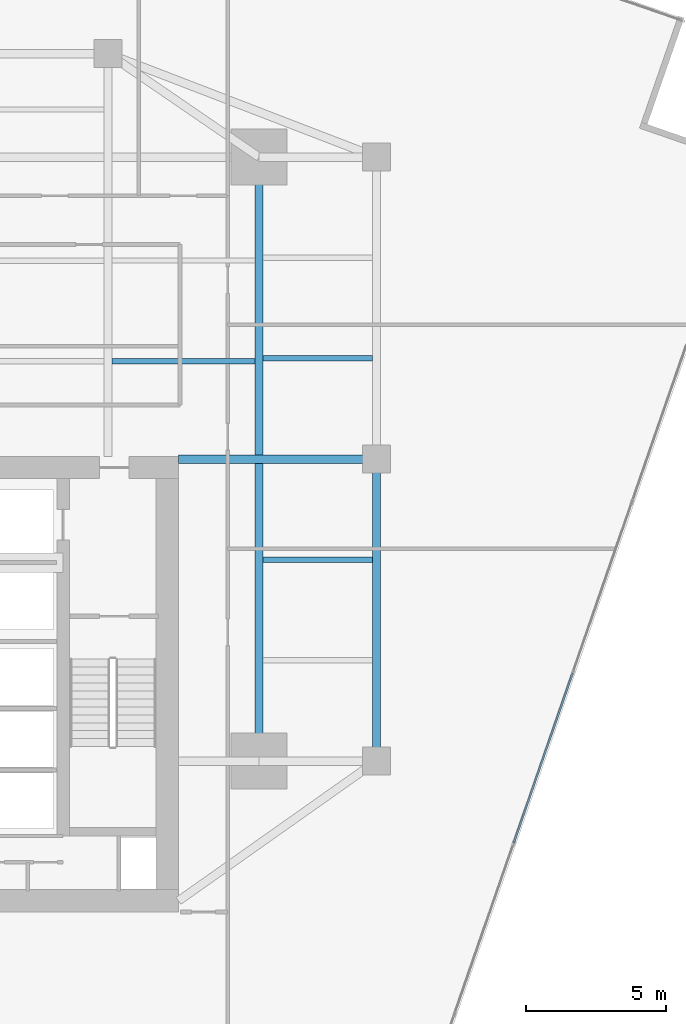
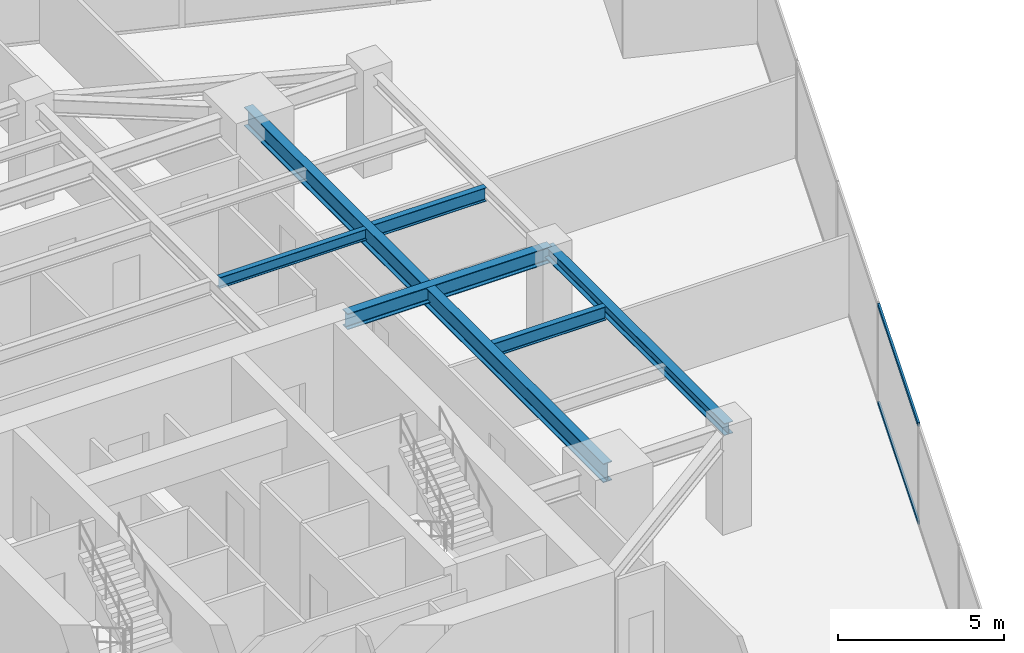
# One storey, part 12 of 27: 6 beams, 2 members, 1 element without a shape of its own.
"""IFC4 building model written with IfcOpenShell, lengths in metres."""

import ifcopenshell
import ifcopenshell.guid

model = None  # the IFC model being written
_history = None  # IfcOwnerHistory: only IFC2X3 demands one
_inside = {}  # id of a spatial element -> (the spatial element, [elements in it])
_under = {}  # id of a project, library or spatial element -> (it, [spatial elements below it])
_declared = {}  # id of a project -> (the project, [libraries it declares])
_typed = {}  # id of a type object -> (the type object, [elements of that type])
_made_of = {}  # id of a material, layer set ... -> (it, [elements and type objects made of it])


def new_model(schema):
    """Start an empty IFC model of exactly this schema.

    Asked for "IFC4X3", IfcOpenShell would pick the latest addendum, in which some entities
    have other attributes; the version numbers below select the first issue.
    IFC2X3 requires an IfcOwnerHistory on every rooted entity: one is made here for all.
    """
    global model, _history
    if schema == "IFC4X3":
        model = ifcopenshell.file(schema_version=(4, 3, 0, 0))
    else:
        model = ifcopenshell.file(schema=schema)
    _inside.clear()
    _under.clear()
    _declared.clear()
    _typed.clear()
    _made_of.clear()
    _history = None
    if model.schema == "IFC2X3":
        org = make("IfcOrganization", Name="unknown")
        user = make(
            "IfcPersonAndOrganization",
            ThePerson=make("IfcPerson", FamilyName="unknown"),
            TheOrganization=org,
        )
        app = make(
            "IfcApplication",
            ApplicationDeveloper=org,
            Version="unknown",
            ApplicationFullName="unknown",
            ApplicationIdentifier="unknown",
        )
        _history = make(
            "IfcOwnerHistory",
            OwningUser=user,
            OwningApplication=app,
            ChangeAction="ADDED",
            CreationDate=0,
        )
    return model


def make(cls, **values):
    """One entity of the class cls with the attributes given. An attribute that is None is left unset."""
    return model.create_entity(
        cls, **{name: value for name, value in values.items() if value is not None}
    )


def rooted(cls, **values):
    """An entity with a GlobalId (a new one), such as an element, a storey or a relation."""
    return make(cls, GlobalId=ifcopenshell.guid.new(), OwnerHistory=_history, **values)


def si_unit(unit_type, name, prefix=None):
    """IfcSIUnit, for example si_unit("LENGTHUNIT", "METRE", prefix="MILLI")."""
    return make("IfcSIUnit", UnitType=unit_type, Prefix=prefix, Name=name)


def assignment(units):
    """IfcUnitAssignment: the units of a project."""
    return None if units is None else make("IfcUnitAssignment", Units=units)


def point(xyz):
    """IfcCartesianPoint."""
    return None if xyz is None else make("IfcCartesianPoint", Coordinates=xyz)


def direction(xyz):
    """IfcDirection."""
    return None if xyz is None else make("IfcDirection", DirectionRatios=xyz)


def frame(location, z_axis=None, x_axis=None):
    """IfcAxis2Placement3D, a coordinate frame: its origin and axes. An axis left out is left unset."""
    return make(
        "IfcAxis2Placement3D",
        Location=point(location),
        Axis=direction(z_axis),
        RefDirection=direction(x_axis),
    )


def frame_2d(location, x_axis=None):
    """IfcAxis2Placement2D, a coordinate frame in the plane: its origin and x axis."""
    return make(
        "IfcAxis2Placement2D", Location=point(location), RefDirection=direction(x_axis)
    )


def origin():
    """The frame at (0, 0, 0) with its axes left unset."""
    return frame((0.0, 0.0, 0.0))


def origin_2d():
    """The frame at (0, 0) in the plane with its x axis left unset."""
    return frame_2d((0.0, 0.0))


def place(relative_to, where):
    """IfcLocalPlacement: puts the frame where relative to a parent placement (None: the world)."""
    return make(
        "IfcLocalPlacement", PlacementRelTo=relative_to, RelativePlacement=where
    )


def context(
    kind, dimensions, precision=None, world=None, true_north=None, identifier=None
):
    """IfcGeometricRepresentationContext, for example the 3D "Model" context."""
    return make(
        "IfcGeometricRepresentationContext",
        ContextIdentifier=identifier,
        ContextType=kind,
        CoordinateSpaceDimension=dimensions,
        Precision=precision,
        WorldCoordinateSystem=world,
        TrueNorth=true_north,
    )


def subcontext(parent, identifier, kind, view, scale=None):
    """IfcGeometricRepresentationSubContext, for example "Body" below "Model"."""
    return make(
        "IfcGeometricRepresentationSubContext",
        ContextIdentifier=identifier,
        ContextType=kind,
        ParentContext=parent,
        TargetScale=scale,
        TargetView=view,
    )


def project(units=None, contexts=None):
    """IfcProject with its units and contexts."""
    return rooted(
        "IfcProject",
        Name="project",
        RepresentationContexts=contexts,
        UnitsInContext=assignment(units),
    )


def spatial(cls, under=None, at=None, **own):
    """A site, building, storey or space (cls), placed at a placement, below another one or the project."""
    s = rooted(cls, ObjectPlacement=at, **own)
    if under is not None:
        _under.setdefault(under.id(), (under, []))[1].append(s)
    return s


def profile(cls, at=None, kind="AREA", **sizes):
    """A parametric profile (cls). Its sizes go by their IFC names, for example OverallWidth=200.0."""
    return make(cls, ProfileType=kind, Position=at, **sizes)


def hollow_rectangle(**sizes):
    """IfcRectangleHollowProfileDef."""
    return profile("IfcRectangleHollowProfileDef", **sizes)


def i_section(**sizes):
    """IfcIShapeProfileDef."""
    return profile("IfcIShapeProfileDef", **sizes)


def extrude(swept, where, along, depth):
    """IfcExtrudedAreaSolid: the profile swept, set in the frame where, extruded along a direction by depth."""
    return make(
        "IfcExtrudedAreaSolid",
        SweptArea=swept,
        Position=where,
        ExtrudedDirection=direction(along),
        Depth=depth,
    )


def shape(context_of_items, identifier, shape_type, items):
    """IfcShapeRepresentation: the items that make up one representation, for example the "Body"."""
    return make(
        "IfcShapeRepresentation",
        ContextOfItems=context_of_items,
        RepresentationIdentifier=identifier,
        RepresentationType=shape_type,
        Items=items,
    )


def source(mapping_origin, context_of_items, identifier, shape_type, items):
    """IfcRepresentationMap: a shape defined once, which mapped items show again and again."""
    return make(
        "IfcRepresentationMap",
        MappingOrigin=mapping_origin,
        MappedRepresentation=shape(context_of_items, identifier, shape_type, items),
    )


def transform(
    local_origin,
    x_axis=None,
    y_axis=None,
    z_axis=None,
    scale=None,
    scale2=None,
    scale3=None,
    uniform=True,
):
    """IfcCartesianTransformationOperator3D, or its non-uniform kind. x_axis, y_axis, z_axis: its Axis1, 2, 3."""
    if uniform:
        return make(
            "IfcCartesianTransformationOperator3D",
            Axis1=direction(x_axis),
            Axis2=direction(y_axis),
            LocalOrigin=point(local_origin),
            Scale=scale,
            Axis3=direction(z_axis),
        )
    return make(
        "IfcCartesianTransformationOperator3DnonUniform",
        Axis1=direction(x_axis),
        Axis2=direction(y_axis),
        LocalOrigin=point(local_origin),
        Scale=scale,
        Axis3=direction(z_axis),
        Scale2=scale2,
        Scale3=scale3,
    )


def mapped(mapping_source, mapping_target):
    """IfcMappedItem: shows the shape of a source again, moved by a transform."""
    return make(
        "IfcMappedItem", MappingSource=mapping_source, MappingTarget=mapping_target
    )


def material(Name=None, Category=None):
    """IfcMaterial."""
    return make("IfcMaterial", Name=Name, Category=Category)


def material_profile(
    of_material, cross_section, Name=None, Category=None, Priority=None
):
    """IfcMaterialProfile: a cross section and its material."""
    return make(
        "IfcMaterialProfile",
        Name=Name,
        Material=of_material,
        Profile=cross_section,
        Priority=Priority,
        Category=Category,
    )


def profile_set(profiles, Name=None, composite=None):
    """IfcMaterialProfileSet."""
    return make(
        "IfcMaterialProfileSet",
        Name=Name,
        MaterialProfiles=profiles,
        CompositeProfile=composite,
    )


def made_of(thing, what):
    """Note that an element or type object is made of a material, layer set ...; save() writes the relation."""
    if what is not None:
        _made_of.setdefault(what.id(), (what, []))[1].append(thing)
    return thing


def type_object(cls, material=None, **own):
    """A type object (cls), such as IfcWallType, which elements share."""
    return made_of(rooted(cls, **own), material)


def type_shapes(of_type, sources):
    """Give a type object the sources (RepresentationMaps) that its elements show as mapped items."""
    of_type.RepresentationMaps = sources


def element(
    cls,
    number,
    at=None,
    inside=None,
    cuts=None,
    type_object=None,
    material=None,
    context=None,
    identifier="Body",
    shape_type=None,
    held_by="IfcProductDefinitionShape",
    body=None,
    shapes=None,
    **own,
):
    """One element of the class cls, such as IfcWall. Its Tag is "e" and its number.

    at: its placement. inside: the storey or other place that contains it. cuts: it is an
    opening in that element (IfcRelVoidsElement). A single representation is given by context,
    identifier, shape_type and body (its items); several are given by shapes. held_by: the class
    of the entity that holds the representations. save() writes the other relations.
    """
    e = rooted(cls, Tag="e%d" % number, ObjectPlacement=at, **own)
    if body is not None:
        shapes = [shape(context, identifier, shape_type, body)]
    if shapes is not None:
        e.Representation = make(held_by, Representations=shapes)
    if inside is not None:
        _inside.setdefault(inside.id(), (inside, []))[1].append(e)
    if cuts is not None:
        rooted(
            "IfcRelVoidsElement", RelatingBuildingElement=cuts, RelatedOpeningElement=e
        )
    if type_object is not None:
        _typed.setdefault(type_object.id(), (type_object, []))[1].append(e)
    return made_of(e, material)


def aggregate(whole, parts):
    """IfcRelAggregates: a whole, such as a stair, and the parts it consists of."""
    return rooted("IfcRelAggregates", RelatingObject=whole, RelatedObjects=parts)


def save(model, path):
    """Write the relations noted so far, then the file.

    IfcRelAggregates (storeys below a building ...), IfcRelContainedInSpatialStructure (elements
    in a storey), IfcRelDefinesByType, IfcRelAssociatesMaterial and IfcRelDeclares: one each for
    every whole, place, type object, material and project.
    """
    for whole, parts in _under.values():
        aggregate(whole, parts)
    for where, things in _inside.values():
        rooted(
            "IfcRelContainedInSpatialStructure",
            RelatedElements=things,
            RelatingStructure=where,
        )
    for kind, things in _typed.values():
        rooted("IfcRelDefinesByType", RelatedObjects=things, RelatingType=kind)
    for what, things in _made_of.values():
        rooted("IfcRelAssociatesMaterial", RelatedObjects=things, RelatingMaterial=what)
    for by, libraries in _declared.values():
        rooted("IfcRelDeclares", RelatingContext=by, RelatedDefinitions=libraries)
    model.write(path)


model = new_model("IFC4")

# Units and contexts
model_context = context("Model", 3, precision=1e-05, world=origin(), true_north=direction((0.0, 1.0)))
body_context = subcontext(model_context, "Body", "Model", "MODEL_VIEW")
ifc_project = project(units=[si_unit("LENGTHUNIT", "METRE"), si_unit("AREAUNIT", "SQUARE_METRE"), si_unit("VOLUMEUNIT", "CUBIC_METRE"), si_unit("PLANEANGLEUNIT", "RADIAN"), si_unit("MASSUNIT", "GRAM", prefix="KILO")], contexts=[model_context])

# Site, building, storey
site_placement = place(None, origin())
site = spatial("IfcSite", under=ifc_project, at=site_placement, CompositionType="ELEMENT")
building_placement = place(site_placement, origin())
building = spatial("IfcBuilding", under=site, at=building_placement, Name="Krantzveldt Concourse Tower", CompositionType="ELEMENT")
storey_placement = place(building_placement, frame((0.0, 0.0, 125.60009765625)))
storey = spatial("IfcBuildingStorey", under=building, at=storey_placement, Name="L30", CompositionType="ELEMENT", Elevation=125.60009765625)

# Beams
ifc_material_1 = material(Name="Steel S355J2", Category="steel")
ifc_material_profile_1 = material_profile(ifc_material_1, i_section(OverallWidth=0.300048828125, OverallDepth=0.699951171875, WebThickness=0.01708984375, FlangeThickness=0.031982421875, FilletRadius=0.027099609375, at=origin_2d()), Name="Steel S355J2", Category="steel")
ifc_profile_set_1 = profile_set([ifc_material_profile_1], Name="Steel S355J2 - HEB 700")
beam_type_1 = type_object("IfcBeamType", Name="BM-B-HEB700", PredefinedType="BEAM", material=ifc_profile_set_1)
shared_shape_1 = source(origin(), body_context, "Body", "SweptSolid", [
    extrude(i_section(OverallWidth=0.300048828125, OverallDepth=0.699951171875, WebThickness=0.01708984375, FlangeThickness=0.031982421875, FilletRadius=0.027099609375, at=origin_2d()), origin(), (0.0, 0.0, 1.0), 21.60009765625),
])
type_shapes(beam_type_1, [shared_shape_1])
beam_1_placement = place(storey_placement, frame((46.800048828125, 15.89990234375, 3.31982421875), z_axis=(0.0, 1.0, 0.0), x_axis=(-1.0, 0.0, 0.0)))
element("IfcBeam", 1, at=beam_1_placement, inside=storey, type_object=beam_type_1, Name="L30 Tower Girder BG-ME", PredefinedType="BEAM", context=body_context, shape_type="MappedRepresentation", body=[
    mapped(shared_shape_1, transform((0.0, 0.0, 0.0), x_axis=(1.0, 0.0, 0.0), y_axis=(0.0, 1.0, 0.0), z_axis=(0.0, 0.0, 1.0), scale=1.0)),
])
ifc_material_2 = material(Name="Steel S355JR", Category="steel")
ifc_material_profile_2 = material_profile(ifc_material_2, i_section(OverallWidth=0.300048828125, OverallDepth=0.590087890625, WebThickness=0.012939453125, FlangeThickness=0.02490234375, FilletRadius=0.027099609375, at=origin_2d()), Name="Steel S355JR", Category="steel")
ifc_profile_set_2 = profile_set([ifc_material_profile_2], Name="Steel S355JR - HEA 600")
beam_type_2 = type_object("IfcBeamType", Name="BM-B-HEA600", PredefinedType="BEAM", material=ifc_profile_set_2)
shared_shape_2 = source(origin(), body_context, "Body", "SweptSolid", [
    extrude(i_section(OverallWidth=0.300048828125, OverallDepth=0.590087890625, WebThickness=0.012939453125, FlangeThickness=0.02490234375, FilletRadius=0.027099609375, at=origin_2d()), origin(), (0.0, 0.0, 1.0), 7.080078125),
])
type_shapes(beam_type_2, [shared_shape_2])
beam_2_placement = place(storey_placement, frame((43.919921875, 26.699951171875, 3.375), z_axis=(1.0, 0.0, 0.0), x_axis=(0.0, 1.0, 0.0)))
element("IfcBeam", 2, at=beam_2_placement, inside=storey, type_object=beam_type_2, Name="L30 Tower Girder BG-CE2", PredefinedType="BEAM", context=body_context, shape_type="MappedRepresentation", body=[
    mapped(shared_shape_2, transform((0.0, 0.0, 0.0), x_axis=(1.0, 0.0, 0.0), y_axis=(0.0, 1.0, 0.0), z_axis=(0.0, 0.0, 1.0), scale=1.0)),
])
ifc_material_profile_3 = material_profile(ifc_material_2, i_section(OverallWidth=0.300048828125, OverallDepth=0.43994140625, WebThickness=0.011474609375, FlangeThickness=0.02099609375, FilletRadius=0.027099609375, at=origin_2d()), Name="Steel S355JR", Category="steel")
ifc_profile_set_3 = profile_set([ifc_material_profile_3], Name="Steel S355JR - HEA 450")
beam_type_3 = type_object("IfcBeamType", Name="BM-SP-HEA450", PredefinedType="SPANDREL", material=ifc_profile_set_3)
shared_shape_3 = source(origin(), body_context, "Body", "SweptSolid", [
    extrude(i_section(OverallWidth=0.300048828125, OverallDepth=0.43994140625, WebThickness=0.011474609375, FlangeThickness=0.02099609375, FilletRadius=0.027099609375, at=origin_2d()), origin(), (0.0, 0.0, 1.0), 10.800048828125),
])
type_shapes(beam_type_3, [shared_shape_3])
beam_3_placement = place(storey_placement, frame((51.0, 26.699951171875, 3.449951171875), z_axis=(0.0, -1.0, 0.0), x_axis=(1.0, 0.0, 0.0)))
element("IfcBeam", 3, at=beam_3_placement, inside=storey, type_object=beam_type_3, Name="L30 Tower Girder SP-R07", PredefinedType="SPANDREL", context=body_context, shape_type="MappedRepresentation", body=[
    mapped(shared_shape_3, transform((0.0, 0.0, 0.0), x_axis=(1.0, 0.0, 0.0), y_axis=(0.0, 1.0, 0.0), z_axis=(0.0, 0.0, 1.0), scale=1.0)),
])
ifc_material_profile_4 = material_profile(ifc_material_2, i_section(OverallWidth=0.179931640625, OverallDepth=0.39990234375, WebThickness=0.008544921875, FlangeThickness=0.013427734375, FilletRadius=0.02099609375, at=origin_2d()), Name="Steel S355JR", Category="steel")
ifc_profile_set_4 = profile_set([ifc_material_profile_4], Name="Steel S355JR - IPE 400")
beam_type_4 = type_object("IfcBeamType", Name="BM-J-IPE400", PredefinedType="JOIST", material=ifc_profile_set_4)
shared_shape_4 = source(origin(), body_context, "Body", "SweptSolid", [
    extrude(i_section(OverallWidth=0.179931640625, OverallDepth=0.39990234375, WebThickness=0.008544921875, FlangeThickness=0.013427734375, FilletRadius=0.02099609375, at=origin_2d()), origin(), (0.0, 0.0, 1.0), 5.099853515625),
])
type_shapes(beam_type_4, [shared_shape_4])
beam_4_placement = place(storey_placement, frame((41.550048828125, 30.199951171875, 3.469970703125), z_axis=(1.0, 0.0, 0.0), x_axis=(0.0, 1.0, 0.0)))
element("IfcBeam", 4, at=beam_4_placement, inside=storey, type_object=beam_type_4, Name="L30 Secondary Floor Joist JN-E1", PredefinedType="JOIST", context=body_context, shape_type="MappedRepresentation", body=[
    mapped(shared_shape_4, transform((0.0, 0.0, 0.0), x_axis=(1.0, 0.0, 0.0), y_axis=(0.0, 1.0, 0.0), z_axis=(0.0, 0.0, 1.0), scale=1.0)),
])
ifc_material_profile_5 = material_profile(ifc_material_2, i_section(OverallWidth=0.199951171875, OverallDepth=0.5, WebThickness=0.01025390625, FlangeThickness=0.01611328125, FilletRadius=0.02099609375, at=origin_2d()), Name="Steel S355JR", Category="steel")
ifc_profile_set_5 = profile_set([ifc_material_profile_5], Name="Steel S355JR - IPE 500")
beam_type_5 = type_object("IfcBeamType", Name="BM-J-IPE500", PredefinedType="JOIST", material=ifc_profile_set_5)
shared_shape_5 = source(origin(), body_context, "Body", "SweptSolid", [
    extrude(i_section(OverallWidth=0.199951171875, OverallDepth=0.5, WebThickness=0.01025390625, FlangeThickness=0.01611328125, FilletRadius=0.02099609375, at=origin_2d()), origin(), (0.0, 0.0, 1.0), 3.900146484375),
])
type_shapes(beam_type_5, [shared_shape_5])
for number, where, z_axis, x_axis, name in (
    (5, (46.949951171875, 23.10009765625, 3.419921875), (1.0, 0.0, 0.0), (0.0, 1.0, 0.0), "L30 Secondary Floor Joist JE-2"),
    (6, (46.949951171875, 30.300048828125, 3.419921875), (1.0, 0.0, 0.0), (0.0, 1.0, 0.0), "L30 Secondary Floor Joist JE-3"),
):
    element("IfcBeam", number, at=place(storey_placement, frame(where, z_axis=z_axis, x_axis=x_axis)), inside=storey, type_object=beam_type_5, Name=name, PredefinedType="JOIST", context=body_context, shape_type="MappedRepresentation", body=[
        mapped(shared_shape_5, transform((0.0, 0.0, 0.0), x_axis=(1.0, 0.0, 0.0), y_axis=(0.0, 1.0, 0.0), z_axis=(0.0, 0.0, 1.0), scale=1.0)),
    ])

# Curtain wall, members
ifc_material_3 = material(Name="Anodised aluminium 6063-T6", Category="aluminium")
curtain_wall_type = type_object("IfcCurtainWallType", Name="CW2", PredefinedType="USERDEFINED", material=ifc_material_3)
curtain_wall_placement = place(storey_placement, origin())
curtain_wall = element("IfcCurtainWall", 7, at=curtain_wall_placement, inside=storey, type_object=curtain_wall_type, Name="CW-L30-F07", ObjectType="UNITISED CURTAIN WALL", PredefinedType="USERDEFINED")
ifc_material_profile_6 = material_profile(ifc_material_3, hollow_rectangle(XDim=0.070068359375, YDim=0.139892578125, WallThickness=0.0048828125, at=origin_2d()), Name="Anodised aluminium 6063-T6", Category="aluminium")
ifc_profile_set_6 = profile_set([ifc_material_profile_6], Name="Anodised aluminium 6063-T6 - ALU-TRAN 140x70x5")
member_type = type_object("IfcMemberType", Name="CW-TRN-150", PredefinedType="USERDEFINED", material=ifc_profile_set_6)
shared_shape_6 = source(origin(), body_context, "Body", "SweptSolid", [
    extrude(hollow_rectangle(XDim=0.070068359375, YDim=0.139892578125, WallThickness=0.0048828125, at=origin_2d()), origin(), (0.0, 0.0, 1.0), 6.396484375),
])
type_shapes(member_type, [shared_shape_6])
member_1_placement = place(storey_placement, frame((55.916259765625, 12.986328125, 0.034912109375), z_axis=(0.327632258054, 0.944805325706, 0.0), x_axis=(-0.944805325706, 0.327632258054, 0.0)))
member_1 = element("IfcMember", 8, at=member_1_placement, type_object=member_type, Name="CW-Z12 transom 3.1", ObjectType="TRANSOM", PredefinedType="USERDEFINED", context=body_context, shape_type="MappedRepresentation", body=[
    mapped(shared_shape_6, transform((0.0, 0.0, 0.0), x_axis=(1.0, 0.0, 0.0), y_axis=(0.0, 1.0, 0.0), z_axis=(0.0, 0.0, 1.0), scale=1.0)),
])
member_2_placement = place(storey_placement, frame((55.916259765625, 12.986328125, 3.635009765625), z_axis=(0.327632258054, 0.944805325706, 0.0), x_axis=(-0.944805325706, 0.327632258054, 0.0)))
member_2 = element("IfcMember", 9, at=member_2_placement, type_object=member_type, Name="CW-Z12 transom 3.2", ObjectType="TRANSOM", PredefinedType="USERDEFINED", context=body_context, shape_type="MappedRepresentation", body=[
    mapped(shared_shape_6, transform((0.0, 0.0, 0.0), x_axis=(1.0, 0.0, 0.0), y_axis=(0.0, 1.0, 0.0), z_axis=(0.0, 0.0, 1.0), scale=1.0)),
])
aggregate(curtain_wall, [member_1, member_2])

save(model, "model.ifc")
